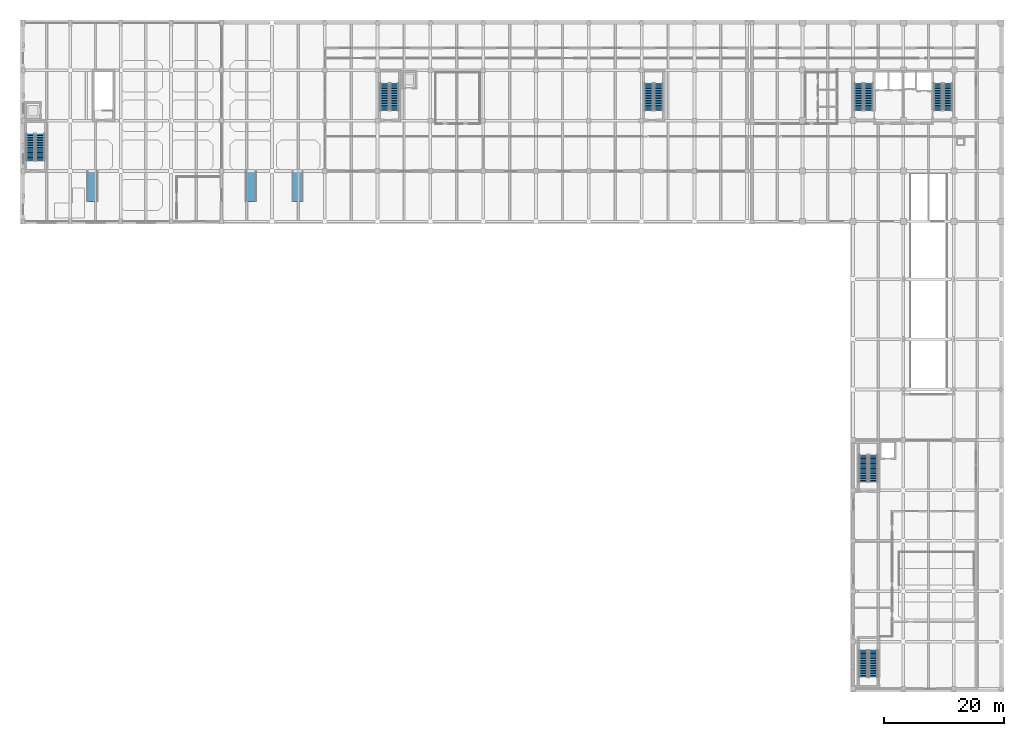
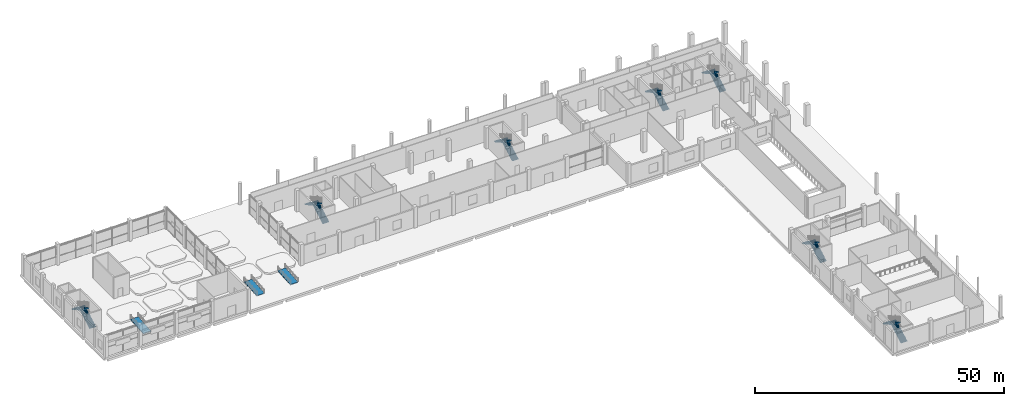
# One storey, part 26 of 34: 14 stair flights, 3 ramp flights, 10 elements without a shape of their own.
"""IFC4 building model written with IfcOpenShell, lengths in metres."""

from ifc_helpers import new_model, si_unit, direction, frame, origin, place, context, subcontext, project, spatial, polyline, outline, extrude, material, layer, layer_set, type_object, element, aggregate, save


model = new_model("IFC4")

# Units and contexts
model_context = context("Model", 3, precision=1e-05, world=origin(), true_north=direction((0.0, 1.0)))
body_context = subcontext(model_context, "Body", "Model", "MODEL_VIEW")
ifc_project = project(units=[si_unit("LENGTHUNIT", "METRE"), si_unit("AREAUNIT", "SQUARE_METRE"), si_unit("VOLUMEUNIT", "CUBIC_METRE"), si_unit("PLANEANGLEUNIT", "RADIAN"), si_unit("MASSUNIT", "GRAM", prefix="KILO")], contexts=[model_context])

# Site, building, storey
site_placement = place(None, origin())
site = spatial("IfcSite", under=ifc_project, at=site_placement, CompositionType="ELEMENT")
building_placement = place(site_placement, origin())
building = spatial("IfcBuilding", under=site, at=building_placement, Name="Brinegate Botanical Conservatory", CompositionType="ELEMENT")
storey_placement = place(building_placement, origin())
storey = spatial("IfcBuildingStorey", under=building, at=storey_placement, Name="L01", CompositionType="ELEMENT", Elevation=0.0)

# Stair, stair flights
ifc_material = material(Name="Concrete C40/50", Category="concrete")
stair_type = type_object("IfcStairType", Name="Stair_HT-5400", PredefinedType="HALF_TURN_STAIR", material=ifc_material)
stair_1_placement = place(storey_placement, origin())
stair_1 = element("IfcStair", 1, at=stair_1_placement, inside=storey, type_object=stair_type, Name="L01 Tower West Smoke-Proof Stair ST1", PredefinedType="HALF_TURN_STAIR")
stair_flight_type = type_object("IfcStairFlightType", Name="Flight_SF-5400", PredefinedType="STRAIGHT", material=ifc_material)
stair_flight_1_placement = place(storey_placement, frame((141.425048828125, 96.89990234375, 0.0), z_axis=(0.0, 0.0, 1.0), x_axis=(0.0, 1.0, 0.0)))
stair_flight_1 = element("IfcStairFlight", 2, at=stair_flight_1_placement, type_object=stair_flight_type, Name="ST1 flight 1", NumberOfRisers=17, NumberOfTreads=16, PredefinedType="STRAIGHT", RiserHeight=0.158823529, TreadLength=0.28, context=body_context, shape_type="SweptSolid", body=[
    extrude(outline(polyline([(-0.00048828125, 0.0), (-0.00048828125, 0.158935546875), (0.280029296875, 0.158935546875), (0.280029296875, 0.317626953125), (0.56005859375, 0.317626953125), (0.56005859375, 0.4765625), (0.840087890625, 0.4765625), (0.840087890625, 0.63525390625), (1.1201171875, 0.63525390625), (1.1201171875, 0.794189453125), (1.39990234375, 0.794189453125), (1.39990234375, 0.952880859375), (1.679931640625, 0.952880859375), (1.679931640625, 1.11181640625), (1.9599609375, 1.11181640625), (1.9599609375, 1.2705078125), (2.239990234375, 1.2705078125), (2.239990234375, 1.429443359375), (2.52001953125, 1.429443359375), (2.52001953125, 1.588134765625), (2.800048828125, 1.588134765625), (2.800048828125, 1.7470703125), (3.080078125, 1.7470703125), (3.080078125, 1.90576171875), (3.360107421875, 1.90576171875), (3.360107421875, 2.064697265625), (3.639892578125, 2.064697265625), (3.639892578125, 2.2236328125), (3.919921875, 2.2236328125), (3.919921875, 2.38232421875), (4.199951171875, 2.38232421875), (4.199951171875, 2.541259765625), (4.47998046875, 2.541259765625), (4.47998046875, 2.699951171875), (4.48046875, 2.699951171875), (4.48046875, 2.368896484375), (0.3037109375, 0.0), (-0.00048828125, 0.0)])), frame((0.0, 0.72509765625, 0.0), z_axis=(0.0, -1.0, 0.0), x_axis=(1.0, 0.0, 0.0)), (0.0, 0.0, 1.0), 1.449951171875),
])
stair_flight_2_placement = place(storey_placement, frame((139.77490234375, 101.3798828125, 2.699951171875), z_axis=(0.0, 0.0, 1.0), x_axis=(0.0, -1.0, 0.0)))
stair_flight_2 = element("IfcStairFlight", 3, at=stair_flight_2_placement, type_object=stair_flight_type, Name="ST1 flight 2", NumberOfRisers=17, NumberOfTreads=16, PredefinedType="STRAIGHT", RiserHeight=0.158823529, TreadLength=0.28, context=body_context, shape_type="SweptSolid", body=[
    extrude(outline(polyline([(-0.00048828125, 0.0), (-0.00048828125, 0.158935546875), (0.280029296875, 0.158935546875), (0.280029296875, 0.317626953125), (0.56005859375, 0.317626953125), (0.56005859375, 0.4765625), (0.840087890625, 0.4765625), (0.840087890625, 0.63525390625), (1.1201171875, 0.63525390625), (1.1201171875, 0.794189453125), (1.39990234375, 0.794189453125), (1.39990234375, 0.952880859375), (1.679931640625, 0.952880859375), (1.679931640625, 1.11181640625), (1.9599609375, 1.11181640625), (1.9599609375, 1.2705078125), (2.239990234375, 1.2705078125), (2.239990234375, 1.429443359375), (2.52001953125, 1.429443359375), (2.52001953125, 1.588134765625), (2.800048828125, 1.588134765625), (2.800048828125, 1.7470703125), (3.080078125, 1.7470703125), (3.080078125, 1.90576171875), (3.360107421875, 1.90576171875), (3.360107421875, 2.064697265625), (3.639892578125, 2.064697265625), (3.639892578125, 2.2236328125), (3.919921875, 2.2236328125), (3.919921875, 2.38232421875), (4.199951171875, 2.38232421875), (4.199951171875, 2.541259765625), (4.47998046875, 2.541259765625), (4.47998046875, 2.699951171875), (4.48046875, 2.699951171875), (4.48046875, 2.368896484375), (0.3037109375, 0.0), (-0.00048828125, 0.0)])), frame((0.0, 0.72509765625, 0.0), z_axis=(0.0, -1.0, 0.0), x_axis=(1.0, 0.0, 0.0)), (0.0, 0.0, 1.0), 1.449951171875),
])
aggregate(stair_1, [stair_flight_1, stair_flight_2])

stair_2_placement = place(storey_placement, origin())
stair_2 = element("IfcStair", 4, at=stair_2_placement, inside=storey, type_object=stair_type, Name="L01 Tower East Smoke-Proof Stair ST2", PredefinedType="HALF_TURN_STAIR")
stair_flight_3_placement = place(storey_placement, frame((154.625, 96.89990234375, 0.0), z_axis=(0.0, 0.0, 1.0), x_axis=(0.0, 1.0, 0.0)))
stair_flight_3 = element("IfcStairFlight", 5, at=stair_flight_3_placement, type_object=stair_flight_type, Name="ST2 flight 1", NumberOfRisers=17, NumberOfTreads=16, PredefinedType="STRAIGHT", RiserHeight=0.158823529, TreadLength=0.28, context=body_context, shape_type="SweptSolid", body=[
    extrude(outline(polyline([(-0.00048828125, 0.0), (-0.00048828125, 0.158935546875), (0.280029296875, 0.158935546875), (0.280029296875, 0.317626953125), (0.56005859375, 0.317626953125), (0.56005859375, 0.4765625), (0.840087890625, 0.4765625), (0.840087890625, 0.63525390625), (1.1201171875, 0.63525390625), (1.1201171875, 0.794189453125), (1.39990234375, 0.794189453125), (1.39990234375, 0.952880859375), (1.679931640625, 0.952880859375), (1.679931640625, 1.11181640625), (1.9599609375, 1.11181640625), (1.9599609375, 1.2705078125), (2.239990234375, 1.2705078125), (2.239990234375, 1.429443359375), (2.52001953125, 1.429443359375), (2.52001953125, 1.588134765625), (2.800048828125, 1.588134765625), (2.800048828125, 1.7470703125), (3.080078125, 1.7470703125), (3.080078125, 1.90576171875), (3.360107421875, 1.90576171875), (3.360107421875, 2.064697265625), (3.639892578125, 2.064697265625), (3.639892578125, 2.2236328125), (3.919921875, 2.2236328125), (3.919921875, 2.38232421875), (4.199951171875, 2.38232421875), (4.199951171875, 2.541259765625), (4.47998046875, 2.541259765625), (4.47998046875, 2.699951171875), (4.48046875, 2.699951171875), (4.48046875, 2.368896484375), (0.3037109375, 0.0), (-0.00048828125, 0.0)])), frame((0.0, 0.72509765625, 0.0), z_axis=(0.0, -1.0, 0.0), x_axis=(1.0, 0.0, 0.0)), (0.0, 0.0, 1.0), 1.449951171875),
])
stair_flight_4_placement = place(storey_placement, frame((152.97509765625, 101.3798828125, 2.699951171875), z_axis=(0.0, 0.0, 1.0), x_axis=(0.0, -1.0, 0.0)))
stair_flight_4 = element("IfcStairFlight", 6, at=stair_flight_4_placement, type_object=stair_flight_type, Name="ST2 flight 2", NumberOfRisers=17, NumberOfTreads=16, PredefinedType="STRAIGHT", RiserHeight=0.158823529, TreadLength=0.28, context=body_context, shape_type="SweptSolid", body=[
    extrude(outline(polyline([(-0.00048828125, 0.0), (-0.00048828125, 0.158935546875), (0.280029296875, 0.158935546875), (0.280029296875, 0.317626953125), (0.56005859375, 0.317626953125), (0.56005859375, 0.4765625), (0.840087890625, 0.4765625), (0.840087890625, 0.63525390625), (1.1201171875, 0.63525390625), (1.1201171875, 0.794189453125), (1.39990234375, 0.794189453125), (1.39990234375, 0.952880859375), (1.679931640625, 0.952880859375), (1.679931640625, 1.11181640625), (1.9599609375, 1.11181640625), (1.9599609375, 1.2705078125), (2.239990234375, 1.2705078125), (2.239990234375, 1.429443359375), (2.52001953125, 1.429443359375), (2.52001953125, 1.588134765625), (2.800048828125, 1.588134765625), (2.800048828125, 1.7470703125), (3.080078125, 1.7470703125), (3.080078125, 1.90576171875), (3.360107421875, 1.90576171875), (3.360107421875, 2.064697265625), (3.639892578125, 2.064697265625), (3.639892578125, 2.2236328125), (3.919921875, 2.2236328125), (3.919921875, 2.38232421875), (4.199951171875, 2.38232421875), (4.199951171875, 2.541259765625), (4.47998046875, 2.541259765625), (4.47998046875, 2.699951171875), (4.48046875, 2.699951171875), (4.48046875, 2.368896484375), (0.3037109375, 0.0), (-0.00048828125, 0.0)])), frame((0.0, 0.72509765625, 0.0), z_axis=(0.0, -1.0, 0.0), x_axis=(1.0, 0.0, 0.0)), (0.0, 0.0, 1.0), 1.449951171875),
])
aggregate(stair_2, [stair_flight_3, stair_flight_4])

stair_3_placement = place(storey_placement, origin())
stair_3 = element("IfcStair", 7, at=stair_3_placement, inside=storey, type_object=stair_type, Name="L01 Visitor Wing West Smoke-Proof Stair ST3", PredefinedType="HALF_TURN_STAIR")
stair_flight_5_placement = place(storey_placement, frame((62.425048828125, 96.89990234375, 0.0), z_axis=(0.0, 0.0, 1.0), x_axis=(0.0, 1.0, 0.0)))
stair_flight_5 = element("IfcStairFlight", 8, at=stair_flight_5_placement, type_object=stair_flight_type, Name="ST3 flight 1", NumberOfRisers=17, NumberOfTreads=16, PredefinedType="STRAIGHT", RiserHeight=0.158823529, TreadLength=0.28, context=body_context, shape_type="SweptSolid", body=[
    extrude(outline(polyline([(-0.00048828125, 0.0), (-0.00048828125, 0.158935546875), (0.280029296875, 0.158935546875), (0.280029296875, 0.317626953125), (0.56005859375, 0.317626953125), (0.56005859375, 0.4765625), (0.840087890625, 0.4765625), (0.840087890625, 0.63525390625), (1.1201171875, 0.63525390625), (1.1201171875, 0.794189453125), (1.39990234375, 0.794189453125), (1.39990234375, 0.952880859375), (1.679931640625, 0.952880859375), (1.679931640625, 1.11181640625), (1.9599609375, 1.11181640625), (1.9599609375, 1.2705078125), (2.239990234375, 1.2705078125), (2.239990234375, 1.429443359375), (2.52001953125, 1.429443359375), (2.52001953125, 1.588134765625), (2.800048828125, 1.588134765625), (2.800048828125, 1.7470703125), (3.080078125, 1.7470703125), (3.080078125, 1.90576171875), (3.360107421875, 1.90576171875), (3.360107421875, 2.064697265625), (3.639892578125, 2.064697265625), (3.639892578125, 2.2236328125), (3.919921875, 2.2236328125), (3.919921875, 2.38232421875), (4.199951171875, 2.38232421875), (4.199951171875, 2.541259765625), (4.47998046875, 2.541259765625), (4.47998046875, 2.699951171875), (4.48046875, 2.699951171875), (4.48046875, 2.368896484375), (0.3037109375, 0.0), (-0.00048828125, 0.0)])), frame((0.0, 0.72509765625, 0.0), z_axis=(0.0, -1.0, 0.0), x_axis=(1.0, 0.0, 0.0)), (0.0, 0.0, 1.0), 1.449951171875),
])
stair_flight_6_placement = place(storey_placement, frame((60.77490234375, 101.3798828125, 2.699951171875), z_axis=(0.0, 0.0, 1.0), x_axis=(0.0, -1.0, 0.0)))
stair_flight_6 = element("IfcStairFlight", 9, at=stair_flight_6_placement, type_object=stair_flight_type, Name="ST3 flight 2", NumberOfRisers=17, NumberOfTreads=16, PredefinedType="STRAIGHT", RiserHeight=0.158823529, TreadLength=0.28, context=body_context, shape_type="SweptSolid", body=[
    extrude(outline(polyline([(-0.00048828125, 0.0), (-0.00048828125, 0.158935546875), (0.280029296875, 0.158935546875), (0.280029296875, 0.317626953125), (0.56005859375, 0.317626953125), (0.56005859375, 0.4765625), (0.840087890625, 0.4765625), (0.840087890625, 0.63525390625), (1.1201171875, 0.63525390625), (1.1201171875, 0.794189453125), (1.39990234375, 0.794189453125), (1.39990234375, 0.952880859375), (1.679931640625, 0.952880859375), (1.679931640625, 1.11181640625), (1.9599609375, 1.11181640625), (1.9599609375, 1.2705078125), (2.239990234375, 1.2705078125), (2.239990234375, 1.429443359375), (2.52001953125, 1.429443359375), (2.52001953125, 1.588134765625), (2.800048828125, 1.588134765625), (2.800048828125, 1.7470703125), (3.080078125, 1.7470703125), (3.080078125, 1.90576171875), (3.360107421875, 1.90576171875), (3.360107421875, 2.064697265625), (3.639892578125, 2.064697265625), (3.639892578125, 2.2236328125), (3.919921875, 2.2236328125), (3.919921875, 2.38232421875), (4.199951171875, 2.38232421875), (4.199951171875, 2.541259765625), (4.47998046875, 2.541259765625), (4.47998046875, 2.699951171875), (4.48046875, 2.699951171875), (4.48046875, 2.368896484375), (0.3037109375, 0.0), (-0.00048828125, 0.0)])), frame((0.0, 0.72509765625, 0.0), z_axis=(0.0, -1.0, 0.0), x_axis=(1.0, 0.0, 0.0)), (0.0, 0.0, 1.0), 1.449951171875),
])
aggregate(stair_3, [stair_flight_5, stair_flight_6])

stair_4_placement = place(storey_placement, origin())
stair_4 = element("IfcStair", 10, at=stair_4_placement, inside=storey, type_object=stair_type, Name="L01 Visitor Wing East Smoke-Proof Stair ST4", PredefinedType="HALF_TURN_STAIR")
stair_flight_7_placement = place(storey_placement, frame((106.425048828125, 96.89990234375, 0.0), z_axis=(0.0, 0.0, 1.0), x_axis=(0.0, 1.0, 0.0)))
stair_flight_7 = element("IfcStairFlight", 11, at=stair_flight_7_placement, type_object=stair_flight_type, Name="ST4 flight 1", NumberOfRisers=17, NumberOfTreads=16, PredefinedType="STRAIGHT", RiserHeight=0.158823529, TreadLength=0.28, context=body_context, shape_type="SweptSolid", body=[
    extrude(outline(polyline([(-0.00048828125, 0.0), (-0.00048828125, 0.158935546875), (0.280029296875, 0.158935546875), (0.280029296875, 0.317626953125), (0.56005859375, 0.317626953125), (0.56005859375, 0.4765625), (0.840087890625, 0.4765625), (0.840087890625, 0.63525390625), (1.1201171875, 0.63525390625), (1.1201171875, 0.794189453125), (1.39990234375, 0.794189453125), (1.39990234375, 0.952880859375), (1.679931640625, 0.952880859375), (1.679931640625, 1.11181640625), (1.9599609375, 1.11181640625), (1.9599609375, 1.2705078125), (2.239990234375, 1.2705078125), (2.239990234375, 1.429443359375), (2.52001953125, 1.429443359375), (2.52001953125, 1.588134765625), (2.800048828125, 1.588134765625), (2.800048828125, 1.7470703125), (3.080078125, 1.7470703125), (3.080078125, 1.90576171875), (3.360107421875, 1.90576171875), (3.360107421875, 2.064697265625), (3.639892578125, 2.064697265625), (3.639892578125, 2.2236328125), (3.919921875, 2.2236328125), (3.919921875, 2.38232421875), (4.199951171875, 2.38232421875), (4.199951171875, 2.541259765625), (4.47998046875, 2.541259765625), (4.47998046875, 2.699951171875), (4.48046875, 2.699951171875), (4.48046875, 2.368896484375), (0.3037109375, 0.0), (-0.00048828125, 0.0)])), frame((0.0, 0.72509765625, 0.0), z_axis=(0.0, -1.0, 0.0), x_axis=(1.0, 0.0, 0.0)), (0.0, 0.0, 1.0), 1.449951171875),
])
stair_flight_8_placement = place(storey_placement, frame((104.77490234375, 101.3798828125, 2.699951171875), z_axis=(0.0, 0.0, 1.0), x_axis=(0.0, -1.0, 0.0)))
stair_flight_8 = element("IfcStairFlight", 12, at=stair_flight_8_placement, type_object=stair_flight_type, Name="ST4 flight 2", NumberOfRisers=17, NumberOfTreads=16, PredefinedType="STRAIGHT", RiserHeight=0.158823529, TreadLength=0.28, context=body_context, shape_type="SweptSolid", body=[
    extrude(outline(polyline([(-0.00048828125, 0.0), (-0.00048828125, 0.158935546875), (0.280029296875, 0.158935546875), (0.280029296875, 0.317626953125), (0.56005859375, 0.317626953125), (0.56005859375, 0.4765625), (0.840087890625, 0.4765625), (0.840087890625, 0.63525390625), (1.1201171875, 0.63525390625), (1.1201171875, 0.794189453125), (1.39990234375, 0.794189453125), (1.39990234375, 0.952880859375), (1.679931640625, 0.952880859375), (1.679931640625, 1.11181640625), (1.9599609375, 1.11181640625), (1.9599609375, 1.2705078125), (2.239990234375, 1.2705078125), (2.239990234375, 1.429443359375), (2.52001953125, 1.429443359375), (2.52001953125, 1.588134765625), (2.800048828125, 1.588134765625), (2.800048828125, 1.7470703125), (3.080078125, 1.7470703125), (3.080078125, 1.90576171875), (3.360107421875, 1.90576171875), (3.360107421875, 2.064697265625), (3.639892578125, 2.064697265625), (3.639892578125, 2.2236328125), (3.919921875, 2.2236328125), (3.919921875, 2.38232421875), (4.199951171875, 2.38232421875), (4.199951171875, 2.541259765625), (4.47998046875, 2.541259765625), (4.47998046875, 2.699951171875), (4.48046875, 2.699951171875), (4.48046875, 2.368896484375), (0.3037109375, 0.0), (-0.00048828125, 0.0)])), frame((0.0, 0.72509765625, 0.0), z_axis=(0.0, -1.0, 0.0), x_axis=(1.0, 0.0, 0.0)), (0.0, 0.0, 1.0), 1.449951171875),
])
aggregate(stair_4, [stair_flight_7, stair_flight_8])

stair_5_placement = place(storey_placement, origin())
stair_5 = element("IfcStair", 13, at=stair_5_placement, inside=storey, type_object=stair_type, Name="L01 Auditorium North Vomitory Stair ST5", PredefinedType="HALF_TURN_STAIR")
stair_flight_9_placement = place(storey_placement, frame((142.22509765625, 35.0, 0.0), z_axis=(0.0, 0.0, 1.0), x_axis=(0.0, 1.0, 0.0)))
stair_flight_9 = element("IfcStairFlight", 14, at=stair_flight_9_placement, type_object=stair_flight_type, Name="ST5 flight 1", NumberOfRisers=17, NumberOfTreads=16, PredefinedType="STRAIGHT", RiserHeight=0.158823529, TreadLength=0.28, context=body_context, shape_type="SweptSolid", body=[
    extrude(outline(polyline([(-0.00048828125, 0.0), (-0.00048828125, 0.158935546875), (0.280029296875, 0.158935546875), (0.280029296875, 0.317626953125), (0.56005859375, 0.317626953125), (0.56005859375, 0.4765625), (0.840087890625, 0.4765625), (0.840087890625, 0.63525390625), (1.1201171875, 0.63525390625), (1.1201171875, 0.794189453125), (1.39990234375, 0.794189453125), (1.39990234375, 0.952880859375), (1.679931640625, 0.952880859375), (1.679931640625, 1.11181640625), (1.9599609375, 1.11181640625), (1.9599609375, 1.2705078125), (2.239990234375, 1.2705078125), (2.239990234375, 1.429443359375), (2.52001953125, 1.429443359375), (2.52001953125, 1.588134765625), (2.800048828125, 1.588134765625), (2.800048828125, 1.7470703125), (3.080078125, 1.7470703125), (3.080078125, 1.90576171875), (3.360107421875, 1.90576171875), (3.360107421875, 2.064697265625), (3.639892578125, 2.064697265625), (3.639892578125, 2.2236328125), (3.919921875, 2.2236328125), (3.919921875, 2.38232421875), (4.199951171875, 2.38232421875), (4.199951171875, 2.541259765625), (4.47998046875, 2.541259765625), (4.47998046875, 2.699951171875), (4.48046875, 2.699951171875), (4.48046875, 2.368896484375), (0.3037109375, 0.0), (-0.00048828125, 0.0)])), frame((0.0, 0.72509765625, 0.0), z_axis=(0.0, -1.0, 0.0), x_axis=(1.0, 0.0, 0.0)), (0.0, 0.0, 1.0), 1.449951171875),
])
stair_flight_10_placement = place(storey_placement, frame((140.574951171875, 39.47998046875, 2.699951171875), z_axis=(0.0, 0.0, 1.0), x_axis=(0.0, -1.0, 0.0)))
stair_flight_10 = element("IfcStairFlight", 15, at=stair_flight_10_placement, type_object=stair_flight_type, Name="ST5 flight 2", NumberOfRisers=17, NumberOfTreads=16, PredefinedType="STRAIGHT", RiserHeight=0.158823529, TreadLength=0.28, context=body_context, shape_type="SweptSolid", body=[
    extrude(outline(polyline([(-0.00048828125, 0.0), (-0.00048828125, 0.158935546875), (0.280029296875, 0.158935546875), (0.280029296875, 0.317626953125), (0.56005859375, 0.317626953125), (0.56005859375, 0.4765625), (0.840087890625, 0.4765625), (0.840087890625, 0.63525390625), (1.1201171875, 0.63525390625), (1.1201171875, 0.794189453125), (1.39990234375, 0.794189453125), (1.39990234375, 0.952880859375), (1.679931640625, 0.952880859375), (1.679931640625, 1.11181640625), (1.9599609375, 1.11181640625), (1.9599609375, 1.2705078125), (2.239990234375, 1.2705078125), (2.239990234375, 1.429443359375), (2.52001953125, 1.429443359375), (2.52001953125, 1.588134765625), (2.800048828125, 1.588134765625), (2.800048828125, 1.7470703125), (3.080078125, 1.7470703125), (3.080078125, 1.90576171875), (3.360107421875, 1.90576171875), (3.360107421875, 2.064697265625), (3.639892578125, 2.064697265625), (3.639892578125, 2.2236328125), (3.919921875, 2.2236328125), (3.919921875, 2.38232421875), (4.199951171875, 2.38232421875), (4.199951171875, 2.541259765625), (4.47998046875, 2.541259765625), (4.47998046875, 2.699951171875), (4.48046875, 2.699951171875), (4.48046875, 2.368896484375), (0.3037109375, 0.0), (-0.00048828125, 0.0)])), frame((0.0, 0.72509765625, 0.0), z_axis=(0.0, -1.0, 0.0), x_axis=(1.0, 0.0, 0.0)), (0.0, 0.0, 1.0), 1.449951171875),
])
aggregate(stair_5, [stair_flight_9, stair_flight_10])

stair_6_placement = place(storey_placement, origin())
stair_6 = element("IfcStair", 16, at=stair_6_placement, inside=storey, type_object=stair_type, Name="L01 Auditorium South Vomitory Stair ST6", PredefinedType="HALF_TURN_STAIR")
stair_flight_11_placement = place(storey_placement, frame((142.22509765625, 2.5, 0.0), z_axis=(0.0, 0.0, 1.0), x_axis=(0.0, 1.0, 0.0)))
stair_flight_11 = element("IfcStairFlight", 17, at=stair_flight_11_placement, type_object=stair_flight_type, Name="ST6 flight 1", NumberOfRisers=17, NumberOfTreads=16, PredefinedType="STRAIGHT", RiserHeight=0.158823529, TreadLength=0.28, context=body_context, shape_type="SweptSolid", body=[
    extrude(outline(polyline([(-0.00048828125, 0.0), (-0.00048828125, 0.158935546875), (0.280029296875, 0.158935546875), (0.280029296875, 0.317626953125), (0.56005859375, 0.317626953125), (0.56005859375, 0.4765625), (0.840087890625, 0.4765625), (0.840087890625, 0.63525390625), (1.1201171875, 0.63525390625), (1.1201171875, 0.794189453125), (1.39990234375, 0.794189453125), (1.39990234375, 0.952880859375), (1.679931640625, 0.952880859375), (1.679931640625, 1.11181640625), (1.9599609375, 1.11181640625), (1.9599609375, 1.2705078125), (2.239990234375, 1.2705078125), (2.239990234375, 1.429443359375), (2.52001953125, 1.429443359375), (2.52001953125, 1.588134765625), (2.800048828125, 1.588134765625), (2.800048828125, 1.7470703125), (3.080078125, 1.7470703125), (3.080078125, 1.90576171875), (3.360107421875, 1.90576171875), (3.360107421875, 2.064697265625), (3.639892578125, 2.064697265625), (3.639892578125, 2.2236328125), (3.919921875, 2.2236328125), (3.919921875, 2.38232421875), (4.199951171875, 2.38232421875), (4.199951171875, 2.541259765625), (4.47998046875, 2.541259765625), (4.47998046875, 2.699951171875), (4.48046875, 2.699951171875), (4.48046875, 2.368896484375), (0.3037109375, 0.0), (-0.00048828125, 0.0)])), frame((0.0, 0.72509765625, 0.0), z_axis=(0.0, -1.0, 0.0), x_axis=(1.0, 0.0, 0.0)), (0.0, 0.0, 1.0), 1.449951171875),
])
stair_flight_12_placement = place(storey_placement, frame((140.574951171875, 6.97998046875, 2.699951171875), z_axis=(0.0, 0.0, 1.0), x_axis=(0.0, -1.0, 0.0)))
stair_flight_12 = element("IfcStairFlight", 18, at=stair_flight_12_placement, type_object=stair_flight_type, Name="ST6 flight 2", NumberOfRisers=17, NumberOfTreads=16, PredefinedType="STRAIGHT", RiserHeight=0.158823529, TreadLength=0.28, context=body_context, shape_type="SweptSolid", body=[
    extrude(outline(polyline([(-0.00048828125, 0.0), (-0.00048828125, 0.158935546875), (0.280029296875, 0.158935546875), (0.280029296875, 0.317626953125), (0.56005859375, 0.317626953125), (0.56005859375, 0.4765625), (0.840087890625, 0.4765625), (0.840087890625, 0.63525390625), (1.1201171875, 0.63525390625), (1.1201171875, 0.794189453125), (1.39990234375, 0.794189453125), (1.39990234375, 0.952880859375), (1.679931640625, 0.952880859375), (1.679931640625, 1.11181640625), (1.9599609375, 1.11181640625), (1.9599609375, 1.2705078125), (2.239990234375, 1.2705078125), (2.239990234375, 1.429443359375), (2.52001953125, 1.429443359375), (2.52001953125, 1.588134765625), (2.800048828125, 1.588134765625), (2.800048828125, 1.7470703125), (3.080078125, 1.7470703125), (3.080078125, 1.90576171875), (3.360107421875, 1.90576171875), (3.360107421875, 2.064697265625), (3.639892578125, 2.064697265625), (3.639892578125, 2.2236328125), (3.919921875, 2.2236328125), (3.919921875, 2.38232421875), (4.199951171875, 2.38232421875), (4.199951171875, 2.541259765625), (4.47998046875, 2.541259765625), (4.47998046875, 2.699951171875), (4.48046875, 2.699951171875), (4.48046875, 2.368896484375), (0.3037109375, 0.0), (-0.00048828125, 0.0)])), frame((0.0, 0.72509765625, 0.0), z_axis=(0.0, -1.0, 0.0), x_axis=(1.0, 0.0, 0.0)), (0.0, 0.0, 1.0), 1.449951171875),
])
aggregate(stair_6, [stair_flight_11, stair_flight_12])

stair_7_placement = place(storey_placement, origin())
stair_7 = element("IfcStair", 19, at=stair_7_placement, inside=storey, type_object=stair_type, Name="L01 Conservatory Canopy Gallery Stair ST7", PredefinedType="HALF_TURN_STAIR")
stair_flight_13_placement = place(storey_placement, frame((3.425048828125, 88.5, 0.0), z_axis=(0.0, 0.0, 1.0), x_axis=(0.0, 1.0, 0.0)))
stair_flight_13 = element("IfcStairFlight", 20, at=stair_flight_13_placement, type_object=stair_flight_type, Name="ST7 flight 1", NumberOfRisers=17, NumberOfTreads=16, PredefinedType="STRAIGHT", RiserHeight=0.158823529, TreadLength=0.28, context=body_context, shape_type="SweptSolid", body=[
    extrude(outline(polyline([(-0.00048828125, 0.0), (-0.00048828125, 0.158935546875), (0.280029296875, 0.158935546875), (0.280029296875, 0.317626953125), (0.56005859375, 0.317626953125), (0.56005859375, 0.4765625), (0.840087890625, 0.4765625), (0.840087890625, 0.63525390625), (1.1201171875, 0.63525390625), (1.1201171875, 0.794189453125), (1.39990234375, 0.794189453125), (1.39990234375, 0.952880859375), (1.679931640625, 0.952880859375), (1.679931640625, 1.11181640625), (1.9599609375, 1.11181640625), (1.9599609375, 1.2705078125), (2.239990234375, 1.2705078125), (2.239990234375, 1.429443359375), (2.52001953125, 1.429443359375), (2.52001953125, 1.588134765625), (2.800048828125, 1.588134765625), (2.800048828125, 1.7470703125), (3.080078125, 1.7470703125), (3.080078125, 1.90576171875), (3.360107421875, 1.90576171875), (3.360107421875, 2.064697265625), (3.639892578125, 2.064697265625), (3.639892578125, 2.2236328125), (3.919921875, 2.2236328125), (3.919921875, 2.38232421875), (4.199951171875, 2.38232421875), (4.199951171875, 2.541259765625), (4.47998046875, 2.541259765625), (4.47998046875, 2.699951171875), (4.48046875, 2.699951171875), (4.48046875, 2.368896484375), (0.3037109375, 0.0), (-0.00048828125, 0.0)])), frame((0.0, 0.72509765625, 0.0), z_axis=(0.0, -1.0, 0.0), x_axis=(1.0, 0.0, 0.0)), (0.0, 0.0, 1.0), 1.449951171875),
])
stair_flight_14_placement = place(storey_placement, frame((1.77490234375, 92.97998046875, 2.699951171875), z_axis=(0.0, 0.0, 1.0), x_axis=(0.0, -1.0, 0.0)))
stair_flight_14 = element("IfcStairFlight", 21, at=stair_flight_14_placement, type_object=stair_flight_type, Name="ST7 flight 2", NumberOfRisers=17, NumberOfTreads=16, PredefinedType="STRAIGHT", RiserHeight=0.158823529, TreadLength=0.28, context=body_context, shape_type="SweptSolid", body=[
    extrude(outline(polyline([(-0.00048828125, 0.0), (-0.00048828125, 0.158935546875), (0.280029296875, 0.158935546875), (0.280029296875, 0.317626953125), (0.56005859375, 0.317626953125), (0.56005859375, 0.4765625), (0.840087890625, 0.4765625), (0.840087890625, 0.63525390625), (1.1201171875, 0.63525390625), (1.1201171875, 0.794189453125), (1.39990234375, 0.794189453125), (1.39990234375, 0.952880859375), (1.679931640625, 0.952880859375), (1.679931640625, 1.11181640625), (1.9599609375, 1.11181640625), (1.9599609375, 1.2705078125), (2.239990234375, 1.2705078125), (2.239990234375, 1.429443359375), (2.52001953125, 1.429443359375), (2.52001953125, 1.588134765625), (2.800048828125, 1.588134765625), (2.800048828125, 1.7470703125), (3.080078125, 1.7470703125), (3.080078125, 1.90576171875), (3.360107421875, 1.90576171875), (3.360107421875, 2.064697265625), (3.639892578125, 2.064697265625), (3.639892578125, 2.2236328125), (3.919921875, 2.2236328125), (3.919921875, 2.38232421875), (4.199951171875, 2.38232421875), (4.199951171875, 2.541259765625), (4.47998046875, 2.541259765625), (4.47998046875, 2.699951171875), (4.48046875, 2.699951171875), (4.48046875, 2.368896484375), (0.3037109375, 0.0), (-0.00048828125, 0.0)])), frame((0.0, 0.72509765625, 0.0), z_axis=(0.0, -1.0, 0.0), x_axis=(1.0, 0.0, 0.0)), (0.0, 0.0, 1.0), 1.449951171875),
])
aggregate(stair_7, [stair_flight_13, stair_flight_14])

# Ramp, ramp flight
ramp_type = type_object("IfcRampType", Name="Ramp_PR", PredefinedType="STRAIGHT_RUN_RAMP", material=ifc_material)
ramp_1_placement = place(storey_placement, origin())
ramp_1 = element("IfcRamp", 22, at=ramp_1_placement, inside=storey, type_object=ramp_type, Name="Conservatory botanical bed accessible ramp PR-1", PredefinedType="STRAIGHT_RUN_RAMP")
ifc_layer = layer(ifc_material, 0.199951171875, Name="Concrete C40/50", Category="concrete")
ifc_layer_set = layer_set([ifc_layer], Name="Concrete C40/50")
ramp_flight_type = type_object("IfcRampFlightType", Name="RampFlight_PR", PredefinedType="STRAIGHT", material=ifc_layer_set)
ramp_flight_1_placement = place(storey_placement, frame((11.199951171875, 81.760009765625, 0.0), z_axis=(0.0, -0.083029499827, 0.996547089785), x_axis=(1.0, 0.0, 0.0)))
ramp_flight_1 = element("IfcRampFlight", 23, at=ramp_flight_1_placement, type_object=ramp_flight_type, Name="Conservatory botanical bed accessible ramp PR-1 flight", PredefinedType="STRAIGHT", context=body_context, shape_type="SweptSolid", body=[
    extrude(outline(polyline([(0.0, 0.0), (1.800048828125, 0.0), (1.800048828125, 5.0575021633835595), (0.0, 5.0575021633835595), (0.0, 0.0)])), origin(), (0.0, 0.0, -1.0), 0.199951171875),
])
aggregate(ramp_1, [ramp_flight_1])

ramp_2_placement = place(storey_placement, origin())
ramp_2 = element("IfcRamp", 24, at=ramp_2_placement, inside=storey, type_object=ramp_type, Name="Forecourt west flora bed accessible ramp PR-2", PredefinedType="STRAIGHT_RUN_RAMP")
ramp_flight_2_placement = place(storey_placement, frame((37.60009765625, 81.760009765625, 0.0), z_axis=(0.0, -0.083029499827, 0.996547089785), x_axis=(1.0, 0.0, 0.0)))
ramp_flight_2 = element("IfcRampFlight", 25, at=ramp_flight_2_placement, type_object=ramp_flight_type, Name="Forecourt west flora bed accessible ramp PR-2 flight", PredefinedType="STRAIGHT", context=body_context, shape_type="SweptSolid", body=[
    extrude(outline(polyline([(0.0, 0.0), (1.7998046875, 0.0), (1.7998046875, 5.05750216338356), (0.0, 5.05750216338356), (0.0, 0.0)])), origin(), (0.0, 0.0, -1.0), 0.199951171875),
])
aggregate(ramp_2, [ramp_flight_2])

ramp_3_placement = place(storey_placement, origin())
ramp_3 = element("IfcRamp", 26, at=ramp_3_placement, inside=storey, type_object=ramp_type, Name="Forecourt east flora bed accessible ramp PR-3", PredefinedType="STRAIGHT_RUN_RAMP")
ramp_flight_3_placement = place(storey_placement, frame((45.39990234375, 81.760009765625, 0.0), z_axis=(0.0, -0.083029499827, 0.996547089785), x_axis=(1.0, 0.0, 0.0)))
ramp_flight_3 = element("IfcRampFlight", 27, at=ramp_flight_3_placement, type_object=ramp_flight_type, Name="Forecourt east flora bed accessible ramp PR-3 flight", PredefinedType="STRAIGHT", context=body_context, shape_type="SweptSolid", body=[
    extrude(outline(polyline([(0.0, 0.0), (1.800048828125, 0.0), (1.800048828125, 5.0575021633835595), (0.0, 5.0575021633835595), (0.0, 0.0)])), origin(), (0.0, 0.0, -1.0), 0.199951171875),
])
aggregate(ramp_3, [ramp_flight_3])

save(model, "model.ifc")
